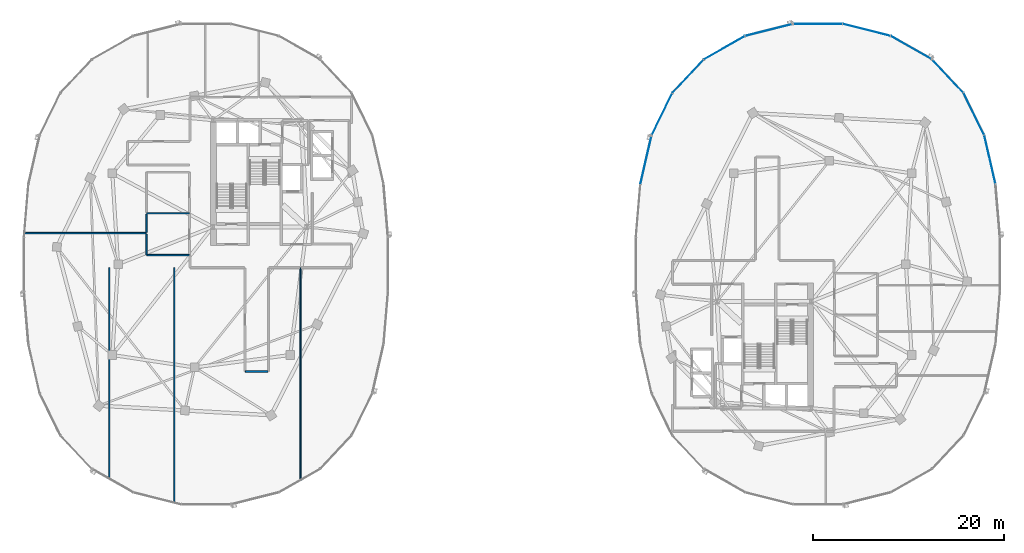
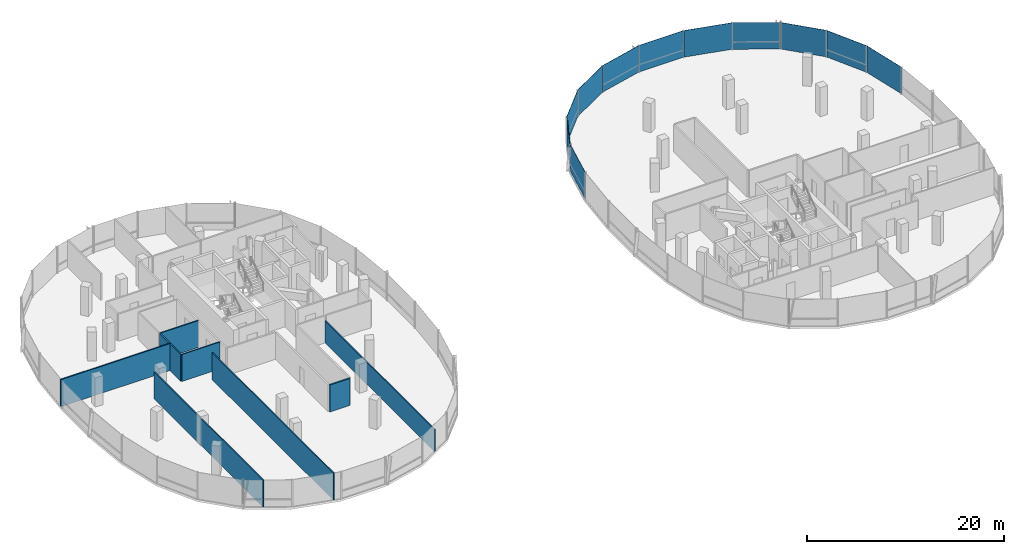
# One storey, part 14 of 25: 11 plates, 9 walls, 2 elements without a shape of their own.
"""IFC4 building model written with IfcOpenShell, lengths in metres."""

import ifcopenshell
import ifcopenshell.guid

model = None  # the IFC model being written
_history = None  # IfcOwnerHistory: only IFC2X3 demands one
_inside = {}  # id of a spatial element -> (the spatial element, [elements in it])
_under = {}  # id of a project, library or spatial element -> (it, [spatial elements below it])
_declared = {}  # id of a project -> (the project, [libraries it declares])
_typed = {}  # id of a type object -> (the type object, [elements of that type])
_made_of = {}  # id of a material, layer set ... -> (it, [elements and type objects made of it])


def new_model(schema):
    """Start an empty IFC model of exactly this schema.

    Asked for "IFC4X3", IfcOpenShell would pick the latest addendum, in which some entities
    have other attributes; the version numbers below select the first issue.
    IFC2X3 requires an IfcOwnerHistory on every rooted entity: one is made here for all.
    """
    global model, _history
    if schema == "IFC4X3":
        model = ifcopenshell.file(schema_version=(4, 3, 0, 0))
    else:
        model = ifcopenshell.file(schema=schema)
    _inside.clear()
    _under.clear()
    _declared.clear()
    _typed.clear()
    _made_of.clear()
    _history = None
    if model.schema == "IFC2X3":
        org = make("IfcOrganization", Name="unknown")
        user = make(
            "IfcPersonAndOrganization",
            ThePerson=make("IfcPerson", FamilyName="unknown"),
            TheOrganization=org,
        )
        app = make(
            "IfcApplication",
            ApplicationDeveloper=org,
            Version="unknown",
            ApplicationFullName="unknown",
            ApplicationIdentifier="unknown",
        )
        _history = make(
            "IfcOwnerHistory",
            OwningUser=user,
            OwningApplication=app,
            ChangeAction="ADDED",
            CreationDate=0,
        )
    return model


def make(cls, **values):
    """One entity of the class cls with the attributes given. An attribute that is None is left unset."""
    return model.create_entity(
        cls, **{name: value for name, value in values.items() if value is not None}
    )


def rooted(cls, **values):
    """An entity with a GlobalId (a new one), such as an element, a storey or a relation."""
    return make(cls, GlobalId=ifcopenshell.guid.new(), OwnerHistory=_history, **values)


def si_unit(unit_type, name, prefix=None):
    """IfcSIUnit, for example si_unit("LENGTHUNIT", "METRE", prefix="MILLI")."""
    return make("IfcSIUnit", UnitType=unit_type, Prefix=prefix, Name=name)


def assignment(units):
    """IfcUnitAssignment: the units of a project."""
    return None if units is None else make("IfcUnitAssignment", Units=units)


def point(xyz):
    """IfcCartesianPoint."""
    return None if xyz is None else make("IfcCartesianPoint", Coordinates=xyz)


def direction(xyz):
    """IfcDirection."""
    return None if xyz is None else make("IfcDirection", DirectionRatios=xyz)


def frame(location, z_axis=None, x_axis=None):
    """IfcAxis2Placement3D, a coordinate frame: its origin and axes. An axis left out is left unset."""
    return make(
        "IfcAxis2Placement3D",
        Location=point(location),
        Axis=direction(z_axis),
        RefDirection=direction(x_axis),
    )


def frame_2d(location, x_axis=None):
    """IfcAxis2Placement2D, a coordinate frame in the plane: its origin and x axis."""
    return make(
        "IfcAxis2Placement2D", Location=point(location), RefDirection=direction(x_axis)
    )


def origin():
    """The frame at (0, 0, 0) with its axes left unset."""
    return frame((0.0, 0.0, 0.0))


def origin_2d():
    """The frame at (0, 0) in the plane with its x axis left unset."""
    return frame_2d((0.0, 0.0))


def place(relative_to, where):
    """IfcLocalPlacement: puts the frame where relative to a parent placement (None: the world)."""
    return make(
        "IfcLocalPlacement", PlacementRelTo=relative_to, RelativePlacement=where
    )


def context(
    kind, dimensions, precision=None, world=None, true_north=None, identifier=None
):
    """IfcGeometricRepresentationContext, for example the 3D "Model" context."""
    return make(
        "IfcGeometricRepresentationContext",
        ContextIdentifier=identifier,
        ContextType=kind,
        CoordinateSpaceDimension=dimensions,
        Precision=precision,
        WorldCoordinateSystem=world,
        TrueNorth=true_north,
    )


def subcontext(parent, identifier, kind, view, scale=None):
    """IfcGeometricRepresentationSubContext, for example "Body" below "Model"."""
    return make(
        "IfcGeometricRepresentationSubContext",
        ContextIdentifier=identifier,
        ContextType=kind,
        ParentContext=parent,
        TargetScale=scale,
        TargetView=view,
    )


def project(units=None, contexts=None):
    """IfcProject with its units and contexts."""
    return rooted(
        "IfcProject",
        Name="project",
        RepresentationContexts=contexts,
        UnitsInContext=assignment(units),
    )


def spatial(cls, under=None, at=None, **own):
    """A site, building, storey or space (cls), placed at a placement, below another one or the project."""
    s = rooted(cls, ObjectPlacement=at, **own)
    if under is not None:
        _under.setdefault(under.id(), (under, []))[1].append(s)
    return s


def profile(cls, at=None, kind="AREA", **sizes):
    """A parametric profile (cls). Its sizes go by their IFC names, for example OverallWidth=200.0."""
    return make(cls, ProfileType=kind, Position=at, **sizes)


def rectangle(**sizes):
    """IfcRectangleProfileDef."""
    return profile("IfcRectangleProfileDef", **sizes)


def extrude(swept, where, along, depth):
    """IfcExtrudedAreaSolid: the profile swept, set in the frame where, extruded along a direction by depth."""
    return make(
        "IfcExtrudedAreaSolid",
        SweptArea=swept,
        Position=where,
        ExtrudedDirection=direction(along),
        Depth=depth,
    )


def shape(context_of_items, identifier, shape_type, items):
    """IfcShapeRepresentation: the items that make up one representation, for example the "Body"."""
    return make(
        "IfcShapeRepresentation",
        ContextOfItems=context_of_items,
        RepresentationIdentifier=identifier,
        RepresentationType=shape_type,
        Items=items,
    )


def material(Name=None, Category=None):
    """IfcMaterial."""
    return make("IfcMaterial", Name=Name, Category=Category)


def layer(
    of_material, thickness, ventilated=None, Name=None, Category=None, Priority=None
):
    """IfcMaterialLayer: one layer of a wall or slab, of a material (None: an air gap)."""
    return make(
        "IfcMaterialLayer",
        Material=of_material,
        LayerThickness=thickness,
        IsVentilated=ventilated,
        Name=Name,
        Category=Category,
        Priority=Priority,
    )


def layer_set(layers, Name=None):
    """IfcMaterialLayerSet."""
    return make("IfcMaterialLayerSet", MaterialLayers=layers, LayerSetName=Name)


def made_of(thing, what):
    """Note that an element or type object is made of a material, layer set ...; save() writes the relation."""
    if what is not None:
        _made_of.setdefault(what.id(), (what, []))[1].append(thing)
    return thing


def type_object(cls, material=None, **own):
    """A type object (cls), such as IfcWallType, which elements share."""
    return made_of(rooted(cls, **own), material)


def element(
    cls,
    number,
    at=None,
    inside=None,
    cuts=None,
    type_object=None,
    material=None,
    context=None,
    identifier="Body",
    shape_type=None,
    held_by="IfcProductDefinitionShape",
    body=None,
    shapes=None,
    **own,
):
    """One element of the class cls, such as IfcWall. Its Tag is "e" and its number.

    at: its placement. inside: the storey or other place that contains it. cuts: it is an
    opening in that element (IfcRelVoidsElement). A single representation is given by context,
    identifier, shape_type and body (its items); several are given by shapes. held_by: the class
    of the entity that holds the representations. save() writes the other relations.
    """
    e = rooted(cls, Tag="e%d" % number, ObjectPlacement=at, **own)
    if body is not None:
        shapes = [shape(context, identifier, shape_type, body)]
    if shapes is not None:
        e.Representation = make(held_by, Representations=shapes)
    if inside is not None:
        _inside.setdefault(inside.id(), (inside, []))[1].append(e)
    if cuts is not None:
        rooted(
            "IfcRelVoidsElement", RelatingBuildingElement=cuts, RelatedOpeningElement=e
        )
    if type_object is not None:
        _typed.setdefault(type_object.id(), (type_object, []))[1].append(e)
    return made_of(e, material)


def aggregate(whole, parts):
    """IfcRelAggregates: a whole, such as a stair, and the parts it consists of."""
    return rooted("IfcRelAggregates", RelatingObject=whole, RelatedObjects=parts)


def save(model, path):
    """Write the relations noted so far, then the file.

    IfcRelAggregates (storeys below a building ...), IfcRelContainedInSpatialStructure (elements
    in a storey), IfcRelDefinesByType, IfcRelAssociatesMaterial and IfcRelDeclares: one each for
    every whole, place, type object, material and project.
    """
    for whole, parts in _under.values():
        aggregate(whole, parts)
    for where, things in _inside.values():
        rooted(
            "IfcRelContainedInSpatialStructure",
            RelatedElements=things,
            RelatingStructure=where,
        )
    for kind, things in _typed.values():
        rooted("IfcRelDefinesByType", RelatedObjects=things, RelatingType=kind)
    for what, things in _made_of.values():
        rooted("IfcRelAssociatesMaterial", RelatedObjects=things, RelatingMaterial=what)
    for by, libraries in _declared.values():
        rooted("IfcRelDeclares", RelatingContext=by, RelatedDefinitions=libraries)
    model.write(path)


model = new_model("IFC4")

# Units and contexts
model_context = context("Model", 3, precision=1e-05, world=origin(), true_north=direction((0.0, 1.0)))
body_context = subcontext(model_context, "Body", "Model", "MODEL_VIEW")
ifc_project = project(units=[si_unit("LENGTHUNIT", "METRE"), si_unit("AREAUNIT", "SQUARE_METRE"), si_unit("VOLUMEUNIT", "CUBIC_METRE"), si_unit("PLANEANGLEUNIT", "RADIAN"), si_unit("MASSUNIT", "GRAM", prefix="KILO"), si_unit("THERMODYNAMICTEMPERATUREUNIT", "KELVIN"), si_unit("POWERUNIT", "WATT")], contexts=[model_context])

# Site, building, storey
site_placement = place(None, origin())
site = spatial("IfcSite", under=ifc_project, at=site_placement, CompositionType="ELEMENT")
building_placement = place(site_placement, origin())
building = spatial("IfcBuilding", under=site, at=building_placement, Name="Cundina Bronze Exchange", CompositionType="ELEMENT")
storey_placement = place(building_placement, frame((0.0, 0.0, 199.0)))
storey = spatial("IfcBuildingStorey", under=building, at=storey_placement, Name="L52", CompositionType="ELEMENT", Elevation=199.0)

# Curtain wall, plates
ifc_material_1 = material(Name="Anodised Bronze Aluminium 6063-T6", Category="aluminium")
curtain_wall_type = type_object("IfcCurtainWallType", Name="CWS-UPP-OFF", PredefinedType="NOTDEFINED", material=ifc_material_1)
curtain_wall_1_placement = place(storey_placement, origin())
curtain_wall_1 = element("IfcCurtainWall", 1, at=curtain_wall_1_placement, inside=storey, type_object=curtain_wall_type, Name="L52 CW-05 Curtain Wall Run CWR-L52-E1", PredefinedType="NOTDEFINED")
ifc_material_2 = material(Name="Heat-Strengthened Solar-Control Bronze Safety Glass 28mm", Category="glass")
ifc_layer_1 = layer(ifc_material_2, 0.028076171875, Name="Heat-Strengthened Solar-Control Bronze Safety Glass 28mm", Category="glass")
ifc_layer_set_1 = layer_set([ifc_layer_1], Name="Heat-Strengthened Solar-Control Bronze Safety Glass 28mm")
plate_type_1 = type_object("IfcPlateType", Name="PLT-GLZ-VIS28", PredefinedType="CURTAIN_PANEL", material=ifc_layer_set_1)
plate_1_placement = place(storey_placement, frame((49.98388671875, 10.92578125, 0.02001953125), z_axis=(0.0, 0.0, 1.0), x_axis=(-0.223284141459, 0.974753400698, 0.0)))
plate_1 = element("IfcPlate", 2, at=plate_1_placement, type_object=plate_type_1, Name="CW-05 Glazed Panel 2", PredefinedType="CURTAIN_PANEL", context=body_context, shape_type="SweptSolid", body=[
    extrude(rectangle(XDim=5.167724609375, YDim=0.028076171875, at=origin_2d()), origin(), (0.0, 0.0, 1.0), 3.300048828125),
])
plate_2_placement = place(storey_placement, frame((45.5791015625, 19.6552734375, 0.02001953125), z_axis=(0.0, 0.0, 1.0), x_axis=(-0.684343512797, 0.72915976061, 0.0)))
plate_2 = element("IfcPlate", 3, at=plate_2_placement, type_object=plate_type_1, Name="CW-05 Glazed Panel 4", PredefinedType="CURTAIN_PANEL", context=body_context, shape_type="SweptSolid", body=[
    extrude(rectangle(XDim=4.773193359375, YDim=0.028076171875, at=origin_2d()), origin(), (0.0, 0.0, 1.0), 3.300048828125),
])
plate_3_placement = place(storey_placement, frame((41.769287109375, 22.64111328125, 0.02001953125), z_axis=(0.0, 0.0, 1.0), x_axis=(-0.869572506985, 0.493805280547, 0.0)))
plate_3 = element("IfcPlate", 4, at=plate_3_placement, type_object=plate_type_1, Name="CW-05 Glazed Panel 5", PredefinedType="CURTAIN_PANEL", context=body_context, shape_type="SweptSolid", body=[
    extrude(rectangle(XDim=4.907958984375, YDim=0.028076171875, at=origin_2d()), origin(), (0.0, 0.0, 1.0), 3.300048828125),
])
plate_4_placement = place(storey_placement, frame((37.11279296875, 24.49609375, 0.02001953125), z_axis=(0.0, 0.0, 1.0), x_axis=(-0.969731542251, 0.244173577528, 0.0)))
plate_4 = element("IfcPlate", 5, at=plate_4_placement, type_object=plate_type_1, Name="CW-05 Glazed Panel 6", PredefinedType="CURTAIN_PANEL", context=body_context, shape_type="SweptSolid", body=[
    extrude(rectangle(XDim=5.0908203125, YDim=0.028076171875, at=origin_2d()), origin(), (0.0, 0.0, 1.0), 3.300048828125),
])
plate_5_placement = place(storey_placement, frame((32.0, 25.125, 0.02001953125), z_axis=(0.0, 0.0, 1.0), x_axis=(-1.0, 0.0, 0.0)))
plate_5 = element("IfcPlate", 6, at=plate_5_placement, type_object=plate_type_1, Name="CW-05 Glazed Panel 7", PredefinedType="CURTAIN_PANEL", context=body_context, shape_type="SweptSolid", body=[
    extrude(rectangle(XDim=5.16796875, YDim=0.028076171875, at=origin_2d()), origin(), (0.0, 0.0, 1.0), 3.300048828125),
])

curtain_wall_2_placement = place(storey_placement, origin())
curtain_wall_2 = element("IfcCurtainWall", 7, at=curtain_wall_2_placement, inside=storey, type_object=curtain_wall_type, Name="L52 CW-05 Curtain Wall Run CWR-L52-E2", PredefinedType="NOTDEFINED")
plate_6_placement = place(storey_placement, frame((26.88720703125, 24.49609375, 0.02001953125), z_axis=(0.0, 0.0, 1.0), x_axis=(-0.969731542251, -0.244173577528, 0.0)))
plate_6 = element("IfcPlate", 8, at=plate_6_placement, type_object=plate_type_1, Name="CW-05 Glazed Panel 1", PredefinedType="CURTAIN_PANEL", context=body_context, shape_type="SweptSolid", body=[
    extrude(rectangle(XDim=5.0908203125, YDim=0.028076171875, at=origin_2d()), origin(), (0.0, 0.0, 1.0), 3.300048828125),
])
plate_7_placement = place(storey_placement, frame((18.4208984375, 19.6552734375, 0.02001953125), z_axis=(0.0, 0.0, 1.0), x_axis=(-0.684343512797, -0.72915976061, 0.0)))
plate_7 = element("IfcPlate", 9, at=plate_7_placement, type_object=plate_type_1, Name="CW-05 Glazed Panel 3", PredefinedType="CURTAIN_PANEL", context=body_context, shape_type="SweptSolid", body=[
    extrude(rectangle(XDim=4.773193359375, YDim=0.028076171875, at=origin_2d()), origin(), (0.0, 0.0, 1.0), 3.300048828125),
])
plate_8_placement = place(storey_placement, frame((15.685302734375, 15.686767578125, 0.02001953125), z_axis=(0.0, 0.0, 1.0), x_axis=(-0.440503330345, -0.897750976582, 0.0)))
plate_8 = element("IfcPlate", 10, at=plate_8_placement, type_object=plate_type_1, Name="CW-05 Glazed Panel 4", PredefinedType="CURTAIN_PANEL", context=body_context, shape_type="SweptSolid", body=[
    extrude(rectangle(XDim=4.863525390625, YDim=0.028076171875, at=origin_2d()), origin(), (0.0, 0.0, 1.0), 3.300048828125),
])
plate_9_placement = place(storey_placement, frame((14.01611328125, 10.92578125, 0.02001953125), z_axis=(0.0, 0.0, 1.0), x_axis=(-0.223284141459, -0.974753400698, 0.0)))
plate_9 = element("IfcPlate", 11, at=plate_9_placement, type_object=plate_type_1, Name="CW-05 Glazed Panel 5", PredefinedType="CURTAIN_PANEL", context=body_context, shape_type="SweptSolid", body=[
    extrude(rectangle(XDim=5.167724609375, YDim=0.028076171875, at=origin_2d()), origin(), (0.0, 0.0, 1.0), 3.300048828125),
])

# Plate
ifc_material_3 = material(Name="Dark Bronze Spandrel Glass Panel 32mm", Category="glass")
ifc_layer_2 = layer(ifc_material_3, 0.031982421875, Name="Dark Bronze Spandrel Glass Panel 32mm", Category="glass")
ifc_layer_set_2 = layer_set([ifc_layer_2], Name="Dark Bronze Spandrel Glass Panel 32mm")
plate_type_2 = type_object("IfcPlateType", Name="PLT-SPN-BRZ32", PredefinedType="CURTAIN_PANEL", material=ifc_layer_set_2)
plate_10_placement = place(storey_placement, frame((48.314697265625, 15.686767578125, 0.02001953125), z_axis=(0.0, 0.0, 1.0), x_axis=(-0.440503330345, 0.897750976582, 0.0)))
plate_10 = element("IfcPlate", 12, at=plate_10_placement, type_object=plate_type_2, Name="CW-05 Glazed Panel 3", PredefinedType="CURTAIN_PANEL", context=body_context, shape_type="SweptSolid", body=[
    extrude(rectangle(XDim=4.863525390625, YDim=0.031982421875, at=origin_2d()), origin(), (0.0, 0.0, 1.0), 3.300048828125),
])

aggregate(curtain_wall_1, [plate_1, plate_10, plate_2, plate_3, plate_4, plate_5])

plate_11_placement = place(storey_placement, frame((22.230712890625, 22.64111328125, 0.02001953125), z_axis=(0.0, 0.0, 1.0), x_axis=(-0.869572506985, -0.493805280547, 0.0)))
plate_11 = element("IfcPlate", 13, at=plate_11_placement, type_object=plate_type_2, Name="CW-05 Glazed Panel 2", PredefinedType="CURTAIN_PANEL", context=body_context, shape_type="SweptSolid", body=[
    extrude(rectangle(XDim=4.907958984375, YDim=0.031982421875, at=origin_2d()), origin(), (0.0, 0.0, 1.0), 3.300048828125),
])

aggregate(curtain_wall_2, [plate_6, plate_11, plate_7, plate_8, plate_9])

# Walls
ifc_material_4 = material(Name="Gypsum Fireboard Partition EI120")
ifc_layer_3 = layer(ifc_material_4, 0.179931640625, Name="Gypsum Fireboard Partition EI120")
ifc_layer_set_3 = layer_set([ifc_layer_3], Name="Gypsum Fireboard Partition EI120")
wall_type_1 = type_object("IfcWallType", Name="WL-COR-180", PredefinedType="PARTITIONING", material=ifc_layer_set_3)
wall_1_placement = place(storey_placement, frame((-27.87841796875, -11.219970703125, 0.0), z_axis=(0.0, 0.0, 1.0), x_axis=(1.0, 0.0, 0.0)))
element("IfcWall", 14, at=wall_1_placement, inside=storey, type_object=wall_type_1, Name="L52 Interior Partition 027", PredefinedType="PARTITIONING", context=body_context, shape_type="SweptSolid", body=[
    extrude(rectangle(XDim=2.35693359375, YDim=0.179931640625, at=frame_2d((1.178466796875, 0.0))), origin(), (0.0, 0.0, 1.0), 3.340087890625),
])
ifc_material_5 = material(Name="Gypsum Acoustic Partition EI60")
ifc_layer_4 = layer(ifc_material_5, 0.125, Name="Gypsum Acoustic Partition EI60")
ifc_layer_set_4 = layer_set([ifc_layer_4], Name="Gypsum Acoustic Partition EI60")
wall_type_2 = type_object("IfcWallType", Name="WL-OFF-125", PredefinedType="PARTITIONING", material=ifc_layer_set_4)
wall_2_placement = place(storey_placement, frame((-42.1201171875, -22.51953125, 0.0), z_axis=(0.0, 0.0, 1.0), x_axis=(0.0, 1.0, 0.0)))
element("IfcWall", 15, at=wall_2_placement, inside=storey, type_object=wall_type_2, Name="L52 Interior Partition 016", PredefinedType="PARTITIONING", context=body_context, shape_type="SweptSolid", body=[
    extrude(rectangle(XDim=22.1494140625, YDim=0.125, at=frame_2d((11.07470703125, 0.0))), origin(), (0.0, 0.0, 1.0), 3.340087890625),
])
wall_3_placement = place(storey_placement, frame((-35.320068359375, -25.01513671875, 0.0), z_axis=(0.0, 0.0, 1.0), x_axis=(0.0, 1.0, 0.0)))
element("IfcWall", 16, at=wall_3_placement, inside=storey, type_object=wall_type_2, Name="L52 Interior Partition 017", PredefinedType="PARTITIONING", context=body_context, shape_type="SweptSolid", body=[
    extrude(rectangle(XDim=24.64501953125, YDim=0.125, at=frame_2d((12.322509765625, 0.0))), origin(), (0.0, 0.0, 1.0), 3.340087890625),
])
wall_4_placement = place(storey_placement, frame((-22.1201171875, -22.65576171875, 0.0), z_axis=(0.0, 0.0, 1.0), x_axis=(0.0, 1.0, 0.0)))
element("IfcWall", 17, at=wall_4_placement, inside=storey, type_object=wall_type_2, Name="L52 Interior Partition 018", PredefinedType="PARTITIONING", context=body_context, shape_type="SweptSolid", body=[
    extrude(rectangle(XDim=22.255859375, YDim=0.125, at=frame_2d((11.1279296875, 0.0))), origin(), (0.0, 0.0, 1.0), 2.72412109375),
])
ifc_layer_5 = layer(ifc_material_5, 0.14990234375, Name="Gypsum Acoustic Partition EI60")
ifc_layer_set_5 = layer_set([ifc_layer_5], Name="Gypsum Acoustic Partition EI60")
wall_type_3 = type_object("IfcWallType", Name="WL-TEN-150", PredefinedType="PARTITIONING", material=ifc_layer_set_5)
wall_5_placement = place(storey_placement, frame((-51.065673828125, 3.239990234375, 0.0), z_axis=(0.0, 0.0, 1.0), x_axis=(1.0, 0.0, 0.0)))
element("IfcWall", 18, at=wall_5_placement, inside=storey, type_object=wall_type_3, Name="L52 Interior Partition 019", PredefinedType="PARTITIONING", context=body_context, shape_type="SweptSolid", body=[
    extrude(rectangle(XDim=12.795654296875, YDim=0.14990234375, at=frame_2d((6.39794921875, 0.0))), origin(), (0.0, 0.0, 1.0), 3.340087890625),
])
ifc_material_6 = material(Name="Moisture-Resistant Masonry Block Grade M15", Category="masonry")
ifc_layer_6 = layer(ifc_material_6, 0.139892578125, Name="Moisture-Resistant Masonry Block Grade M15", Category="masonry")
ifc_layer_set_6 = layer_set([ifc_layer_6], Name="Moisture-Resistant Masonry Block Grade M15")
wall_type_4 = type_object("IfcWallType", Name="WL-WET-140", PredefinedType="PARTITIONING", material=ifc_layer_set_6)
wall_6_placement = place(storey_placement, frame((-38.239990234375, 0.969970703125, 0.0), z_axis=(0.0, 0.0, 1.0), x_axis=(0.0, 1.0, 0.0)))
element("IfcWall", 19, at=wall_6_placement, inside=storey, type_object=wall_type_4, Name="L52 Interior Partition 008", PredefinedType="PARTITIONING", context=body_context, shape_type="SweptSolid", body=[
    extrude(rectangle(XDim=2.18505859375, YDim=0.139892578125, at=frame_2d((1.092529296875, 0.0))), origin(), (0.0, 0.0, 1.0), 3.340087890625),
])
wall_7_placement = place(storey_placement, frame((-38.239990234375, 3.324951171875, 0.0), z_axis=(0.0, 0.0, 1.0), x_axis=(0.0, 1.0, 0.0)))
element("IfcWall", 20, at=wall_7_placement, inside=storey, type_object=wall_type_4, Name="L52 Interior Partition 009", PredefinedType="PARTITIONING", context=body_context, shape_type="SweptSolid", body=[
    extrude(rectangle(XDim=1.920166015625, YDim=0.139892578125, at=frame_2d((0.9599609375, 0.0))), origin(), (0.0, 0.0, 1.0), 3.340087890625),
])
for number, where, z_axis, x_axis, name in (
    (21, (-38.219970703125, 0.949951171875, 0.0), (0.0, 0.0, 1.0), (1.0, 0.0, 0.0), "L52 Interior Partition 011"),
    (22, (-38.219970703125, 5.330078125, 0.0), (0.0, 0.0, 1.0), (1.0, 0.0, 0.0), "L52 Interior Partition 012"),
):
    element("IfcWall", number, at=place(storey_placement, frame(where, z_axis=z_axis, x_axis=x_axis)), inside=storey, type_object=wall_type_4, Name=name, PredefinedType="PARTITIONING", context=body_context, shape_type="SweptSolid", body=[
        extrude(rectangle(XDim=4.47998046875, YDim=0.139892578125, at=frame_2d((2.239990234375, 0.0))), origin(), (0.0, 0.0, 1.0), 3.340087890625),
    ])

save(model, "model.ifc")
